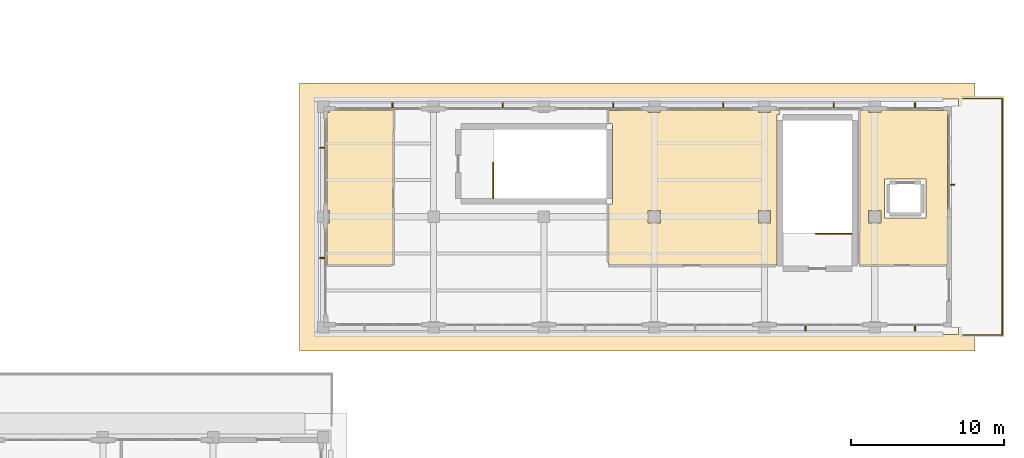
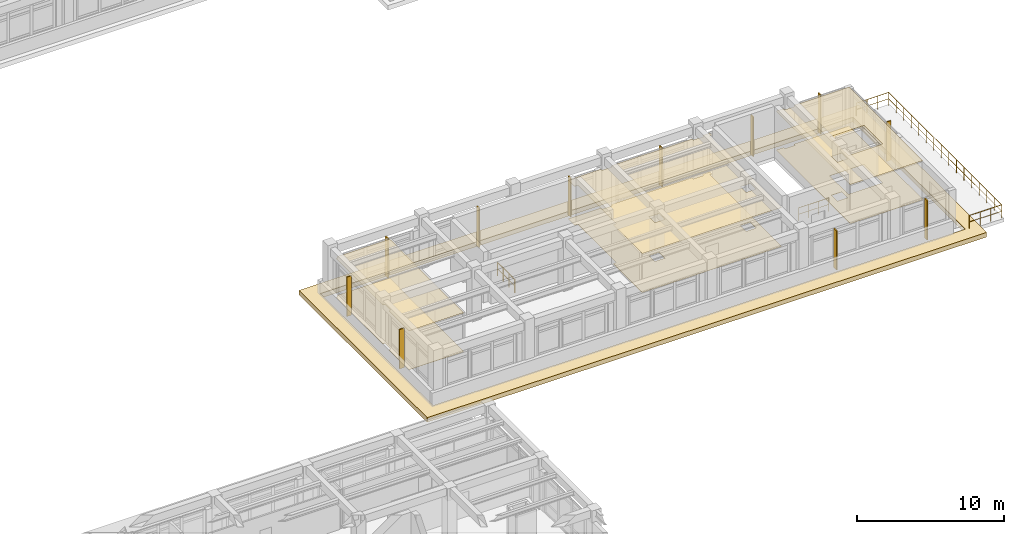
# One storey, part 59 of 64: 11 shading devices, 7 coverings, 5 railings.
"""IFC4 building model written with IfcOpenShell, lengths in metres."""

from ifc_helpers import new_model, si_unit, direction, frame, origin, origin_2d, place, context, subcontext, project, spatial, polyline, rectangle, circle, outline, extrude, material, layer, layer_set, material_profile, profile_set, type_object, element, save


model = new_model("IFC4")

# Units and contexts
model_context = context("Model", 3, precision=1e-05, world=origin(), true_north=direction((0.0, 1.0)))
body_context = subcontext(model_context, "Body", "Model", "MODEL_VIEW")
ifc_project = project(units=[si_unit("LENGTHUNIT", "METRE"), si_unit("AREAUNIT", "SQUARE_METRE"), si_unit("VOLUMEUNIT", "CUBIC_METRE"), si_unit("PLANEANGLEUNIT", "RADIAN"), si_unit("MASSUNIT", "GRAM", prefix="KILO")], contexts=[model_context])

# Site, building, storey
site_placement = place(None, origin())
site = spatial("IfcSite", under=ifc_project, at=site_placement, CompositionType="ELEMENT")
building_placement = place(site_placement, origin())
building = spatial("IfcBuilding", under=site, at=building_placement, Name="Solenvale Faculty of Natural Sciences", CompositionType="ELEMENT")
storey_placement = place(building_placement, frame((0.0, 0.0, 18.0)))
storey = spatial("IfcBuildingStorey", under=building, at=storey_placement, Name="L04", CompositionType="ELEMENT", Elevation=18.0)

# Coverings
ifc_material_1 = material(Name="Acoustic mineral-timber ceiling", Category="wood")
ifc_layer_1 = layer(ifc_material_1, 0.02490234375)
ifc_layer_set_1 = layer_set([ifc_layer_1], Name="Acoustic mineral-timber ceiling")
covering_type_1 = type_object("IfcCoveringType", Name="COV-CEIL-AC25", PredefinedType="CEILING", material=ifc_layer_set_1)
covering_1_placement = place(storey_placement, frame((0.0, 0.0, 3.235107421875)))
element("IfcCovering", 1, at=covering_1_placement, inside=storey, type_object=covering_type_1, Name="L04 Science Library Reference Reading Hall Acoustic Ceiling", PredefinedType="CEILING", context=body_context, shape_type="SweptSolid", body=[
    extrude(outline(polyline([(133.820068359375, 51.18994140625), (133.846923828125, 51.219970703125), (134.056884765625, 51.220947265625), (134.080078125, 51.25), (134.080078125, 56.450927734375), (134.054931640625, 56.47998046875), (133.846923828125, 56.47998046875), (133.821044921875, 56.5009765625), (133.820068359375, 57.330078125), (133.8359375, 57.35595703125), (136.373046875, 57.360107421875), (136.39892578125, 57.3359375), (136.39990234375, 57.208984375), (136.410888671875, 57.199951171875), (137.19189453125, 57.199951171875), (137.200927734375, 57.3359375), (137.22998046875, 57.360107421875), (143.570068359375, 57.360107421875), (143.59912109375, 57.339111328125), (143.60009765625, 57.208984375), (143.611083984375, 57.199951171875), (144.39111328125, 57.199951171875), (144.39990234375, 57.208984375), (144.40087890625, 57.3359375), (144.424072265625, 57.35888671875), (144.949951171875, 57.360107421875), (144.97607421875, 57.343994140625), (144.97607421875, 57.095947265625), (144.952880859375, 57.080078125), (144.842041015625, 57.0791015625), (144.820068359375, 57.050048828125), (144.820068359375, 47.27001953125), (144.803955078125, 47.243896484375), (133.839111328125, 47.241943359375), (133.820068359375, 47.27001953125), (133.820068359375, 51.18994140625)]), holes=[polyline([(143.611083984375, 50.800048828125), (143.60009765625, 50.7890625), (143.60302734375, 50.0029296875), (144.39697265625, 50.0029296875), (144.39697265625, 50.797119140625), (143.611083984375, 50.800048828125)]), polyline([(136.410888671875, 50.800048828125), (136.39990234375, 50.7890625), (136.403076171875, 50.0029296875), (137.197021484375, 50.0029296875), (137.197021484375, 50.797119140625), (136.410888671875, 50.800048828125)])]), origin(), (0.0, 0.0, 1.0), 0.02490234375),
])
covering_2_placement = place(storey_placement, frame((0.0, 0.0, 3.235107421875)))
element("IfcCovering", 2, at=covering_2_placement, inside=storey, type_object=covering_type_1, Name="L04 Faculty Staff Office Acoustic Ceiling", PredefinedType="CEILING", context=body_context, shape_type="SweptSolid", body=[
    extrude(outline(polyline([(150.25, 47.239990234375), (150.22900390625, 47.2490234375), (150.219970703125, 47.27001953125), (150.22412109375, 57.343994140625), (150.25, 57.360107421875), (150.77587890625, 57.35888671875), (150.799072265625, 57.3359375), (150.800048828125, 57.208984375), (150.80908203125, 57.199951171875), (151.589111328125, 57.199951171875), (151.60009765625, 57.208984375), (151.60107421875, 57.339111328125), (151.6298828125, 57.360107421875), (155.944091796875, 57.35595703125), (155.9599609375, 57.330078125), (155.9560546875, 47.256103515625), (155.929931640625, 47.239990234375), (150.25, 47.239990234375)]), holes=[polyline([(154.554931640625, 52.85205078125), (154.544921875, 52.8720703125), (154.52490234375, 52.8798828125), (151.85498046875, 52.8720703125), (151.844970703125, 52.85009765625), (151.85302734375, 50.330078125), (151.875, 50.320068359375), (154.544921875, 50.327880859375), (154.554931640625, 50.35009765625), (154.554931640625, 52.85205078125)]), polyline([(150.81103515625, 50.800048828125), (150.800048828125, 50.7890625), (150.802978515625, 50.0029296875), (151.596923828125, 50.0029296875), (151.596923828125, 50.797119140625), (150.81103515625, 50.800048828125)])]), origin(), (0.0, 0.0, 1.0), 0.02490234375),
])
ifc_material_2 = material(Name="Oak slatted acoustic timber ceiling", Category="wood")
ifc_layer_2 = layer(ifc_material_2, 0.034912109375)
ifc_layer_set_2 = layer_set([ifc_layer_2], Name="Oak slatted acoustic timber ceiling")
covering_type_2 = type_object("IfcCoveringType", Name="COV-CEIL-WD35", PredefinedType="CEILING", material=ifc_layer_set_2)
covering_3_placement = place(storey_placement, frame((0.0, 0.0, 3.22509765625)))
element("IfcCovering", 3, at=covering_3_placement, inside=storey, type_object=covering_type_2, Name="L04 Learning Commons Acoustic Ceiling", PredefinedType="CEILING", context=body_context, shape_type="SweptSolid", body=[
    extrude(outline(polyline([(119.780029296875, 56.049072265625), (119.760009765625, 56.0), (119.756103515625, 47.256103515625), (119.72998046875, 47.239990234375), (115.4560546875, 47.243896484375), (115.43994140625, 47.27001953125), (115.43994140625, 49.969970703125), (115.464111328125, 49.9990234375), (115.60009765625, 50.008056640625), (115.60009765625, 50.7890625), (115.591064453125, 50.800048828125), (115.4609375, 50.801025390625), (115.43994140625, 50.830078125), (115.444091796875, 57.18408203125), (115.467041015625, 57.199951171875), (115.596923828125, 57.202880859375), (115.60107421875, 57.3359375), (115.6298828125, 57.360107421875), (119.759033203125, 57.35888671875), (119.780029296875, 57.330078125), (119.780029296875, 56.049072265625)])), origin(), (0.0, 0.0, 1.0), 0.034912109375),
])
ifc_material_3 = material(Name="Polished slate terrazzo flooring", Category="masonry")
ifc_layer_3 = layer(ifc_material_3, 0.01806640625)
ifc_layer_set_3 = layer_set([ifc_layer_3], Name="Polished slate terrazzo flooring")
covering_type_3 = type_object("IfcCoveringType", Name="COV-FLR-TRZ18", PredefinedType="FLOORING", material=ifc_layer_set_3)
covering_4_placement = place(storey_placement, origin())
element("IfcCovering", 4, at=covering_4_placement, inside=storey, type_object=covering_type_3, Name="L04 Learning Commons Floor Finish", PredefinedType="FLOORING", context=body_context, shape_type="SweptSolid", body=[
    extrude(outline(polyline([(119.780029296875, 56.049072265625), (119.760009765625, 56.0), (119.756103515625, 47.256103515625), (119.72998046875, 47.239990234375), (115.4560546875, 47.243896484375), (115.43994140625, 47.27001953125), (115.43994140625, 49.969970703125), (115.464111328125, 49.9990234375), (115.60009765625, 50.008056640625), (115.60009765625, 50.7890625), (115.591064453125, 50.800048828125), (115.4609375, 50.801025390625), (115.43994140625, 50.830078125), (115.444091796875, 57.18408203125), (115.467041015625, 57.199951171875), (115.596923828125, 57.202880859375), (115.60107421875, 57.3359375), (115.6298828125, 57.360107421875), (119.759033203125, 57.35888671875), (119.780029296875, 57.330078125), (119.780029296875, 56.049072265625)])), origin(), (0.0, 0.0, 1.0), 0.01806640625),
])
covering_5_placement = place(storey_placement, origin())
element("IfcCovering", 5, at=covering_5_placement, inside=storey, type_object=covering_type_3, Name="L04 Science Library Reference Reading Hall Floor Finish", PredefinedType="FLOORING", context=body_context, shape_type="SweptSolid", body=[
    extrude(outline(polyline([(133.820068359375, 51.18994140625), (133.846923828125, 51.219970703125), (134.056884765625, 51.220947265625), (134.080078125, 51.25), (134.080078125, 56.450927734375), (134.054931640625, 56.47998046875), (133.846923828125, 56.47998046875), (133.821044921875, 56.5009765625), (133.820068359375, 57.330078125), (133.8359375, 57.35595703125), (136.373046875, 57.360107421875), (136.39892578125, 57.3359375), (136.39990234375, 57.208984375), (136.410888671875, 57.199951171875), (137.19189453125, 57.199951171875), (137.200927734375, 57.3359375), (137.22998046875, 57.360107421875), (143.570068359375, 57.360107421875), (143.59912109375, 57.339111328125), (143.60009765625, 57.208984375), (143.611083984375, 57.199951171875), (144.39111328125, 57.199951171875), (144.39990234375, 57.208984375), (144.40087890625, 57.3359375), (144.424072265625, 57.35888671875), (144.949951171875, 57.360107421875), (144.97607421875, 57.343994140625), (144.97607421875, 57.095947265625), (144.952880859375, 57.080078125), (144.842041015625, 57.0791015625), (144.820068359375, 57.050048828125), (144.820068359375, 47.27001953125), (144.803955078125, 47.243896484375), (133.839111328125, 47.241943359375), (133.820068359375, 47.27001953125), (133.820068359375, 51.18994140625)]), holes=[polyline([(143.611083984375, 50.800048828125), (143.60009765625, 50.7890625), (143.60302734375, 50.0029296875), (144.39697265625, 50.0029296875), (144.39697265625, 50.797119140625), (143.611083984375, 50.800048828125)]), polyline([(136.410888671875, 50.800048828125), (136.39990234375, 50.7890625), (136.403076171875, 50.0029296875), (137.197021484375, 50.0029296875), (137.197021484375, 50.797119140625), (136.410888671875, 50.800048828125)])]), origin(), (0.0, 0.0, 1.0), 0.01806640625),
])
covering_6_placement = place(storey_placement, origin())
element("IfcCovering", 6, at=covering_6_placement, inside=storey, type_object=covering_type_3, Name="L04 Faculty Staff Office Floor Finish", PredefinedType="FLOORING", context=body_context, shape_type="SweptSolid", body=[
    extrude(outline(polyline([(150.25, 47.239990234375), (150.22900390625, 47.2490234375), (150.219970703125, 47.27001953125), (150.22412109375, 57.343994140625), (150.25, 57.360107421875), (150.77587890625, 57.35888671875), (150.799072265625, 57.3359375), (150.800048828125, 57.208984375), (150.80908203125, 57.199951171875), (151.589111328125, 57.199951171875), (151.60009765625, 57.208984375), (151.60107421875, 57.339111328125), (151.6298828125, 57.360107421875), (155.944091796875, 57.35595703125), (155.9599609375, 57.330078125), (155.9560546875, 47.256103515625), (155.929931640625, 47.239990234375), (150.25, 47.239990234375)]), holes=[polyline([(154.554931640625, 52.85205078125), (154.544921875, 52.8720703125), (154.52490234375, 52.8798828125), (151.85498046875, 52.8720703125), (151.844970703125, 52.85009765625), (151.85302734375, 50.330078125), (151.875, 50.320068359375), (154.544921875, 50.327880859375), (154.554931640625, 50.35009765625), (154.554931640625, 52.85205078125)]), polyline([(150.81103515625, 50.800048828125), (150.800048828125, 50.7890625), (150.802978515625, 50.0029296875), (151.596923828125, 50.0029296875), (151.596923828125, 50.797119140625), (150.81103515625, 50.800048828125)])]), origin(), (0.0, 0.0, 1.0), 0.01806640625),
])
ifc_material_4 = material(Name="Insulated EPDM roofing membrane")
ifc_layer_4 = layer(ifc_material_4, 0.06494140625)
ifc_layer_set_4 = layer_set([ifc_layer_4], Name="Insulated EPDM roofing membrane")
covering_type_4 = type_object("IfcCoveringType", Name="COV-ROOF-MEMB", PredefinedType="ROOFING", material=ifc_layer_set_4)
covering_7_placement = place(storey_placement, frame((0.0, 0.0, -0.340087890625)))
element("IfcCovering", 7, at=covering_7_placement, inside=storey, type_object=covering_type_4, Name="L04 Projecting Horizontal Bronze Concrete Tray Ledge 2", PredefinedType="CLADDING", context=body_context, shape_type="SweptSolid", body=[
    extrude(outline(polyline([(157.75, 41.669921875), (157.743896484375, 41.656005859375), (157.72998046875, 41.64990234375), (113.662109375, 41.652099609375), (113.64990234375, 41.669921875), (113.652099609375, 59.137939453125), (113.669921875, 59.14990234375), (157.738037109375, 59.14794921875), (157.75, 59.1298828125), (157.75, 41.669921875)]), holes=[polyline([(114.719970703125, 42.719970703125), (156.679931640625, 42.719970703125), (156.679931640625, 58.080078125), (114.719970703125, 58.080078125), (114.719970703125, 42.719970703125)])]), origin(), (0.0, 0.0, 1.0), 0.380126953125),
])

# Railings
ifc_material_5 = material(Name="Stainless steel Grade 304", Category="steel")
railing_type_1 = type_object("IfcRailingType", Name="RL-GRD-1100", PredefinedType="GUARDRAIL", material=ifc_material_5)
railing_1_placement = place(storey_placement, frame((149.699951171875, 49.2900390625, 0.0)))
element("IfcRailing", 8, at=railing_1_placement, inside=storey, type_object=railing_type_1, Name="L04 ST-02 top well guard 1", PredefinedType="GUARDRAIL", context=body_context, shape_type="SweptSolid", body=[
    extrude(circle(Radius=0.02392578125, at=origin_2d()), frame((0.0, 0.0, 1.09619140625), z_axis=(-1.0, 0.0, 0.0), x_axis=(0.0, -1.0, 0.0)), (0.0, 0.0, 1.0), 2.349853515625),
    extrude(circle(Radius=0.01611328125, at=origin_2d()), frame((0.0, 0.0, 0.56005859375), z_axis=(-1.0, 0.0, 0.0), x_axis=(0.0, -1.0, 0.0)), (0.0, 0.0, 1.0), 2.349853515625),
    extrude(circle(Radius=0.02099609375, at=origin_2d()), origin(), (0.0, 0.0, 1.0), 1.072021484375),
    extrude(circle(Radius=0.02099609375, at=origin_2d()), frame((-0.783203125, 0.0, 0.0)), (0.0, 0.0, 1.0), 1.072021484375),
    extrude(circle(Radius=0.02099609375, at=origin_2d()), frame((-1.566650390625, 0.0, 0.0)), (0.0, 0.0, 1.0), 1.072021484375),
    extrude(circle(Radius=0.02099609375, at=origin_2d()), frame((-2.349853515625, 0.0, 0.0)), (0.0, 0.0, 1.0), 1.072021484375),
])
railing_2_placement = place(storey_placement, frame((126.2900390625, 51.60009765625, 0.0)))
element("IfcRailing", 9, at=railing_2_placement, inside=storey, type_object=railing_type_1, Name="L04 ST-08 top well guard 1", PredefinedType="GUARDRAIL", context=body_context, shape_type="SweptSolid", body=[
    extrude(circle(Radius=0.02392578125, at=origin_2d()), frame((0.0, 0.0, 1.09619140625), z_axis=(0.0, 1.0, 0.0), x_axis=(-1.0, 0.0, 0.0)), (0.0, 0.0, 1.0), 2.349853515625),
    extrude(circle(Radius=0.01611328125, at=origin_2d()), frame((0.0, 0.0, 0.56005859375), z_axis=(0.0, 1.0, 0.0), x_axis=(-1.0, 0.0, 0.0)), (0.0, 0.0, 1.0), 2.349853515625),
    extrude(circle(Radius=0.02099609375, at=origin_2d()), origin(), (0.0, 0.0, 1.0), 1.072021484375),
    extrude(circle(Radius=0.02099609375, at=origin_2d()), frame((0.0, 0.783203125, 0.0)), (0.0, 0.0, 1.0), 1.072021484375),
    extrude(circle(Radius=0.02099609375, at=origin_2d()), frame((0.0, 1.566650390625, 0.0)), (0.0, 0.0, 1.0), 1.072021484375),
    extrude(circle(Radius=0.02099609375, at=origin_2d()), frame((0.0, 2.349853515625, 0.0)), (0.0, 0.0, 1.0), 1.072021484375),
])
railing_type_2 = type_object("IfcRailingType", Name="RL-TERR-1100", PredefinedType="GUARDRAIL", material=ifc_material_5)
railing_3_placement = place(storey_placement, frame((159.52001953125, 42.679931640625, 0.0)))
element("IfcRailing", 10, at=railing_3_placement, inside=storey, type_object=railing_type_2, Name="L04 Terrace Guardrail 2.1", PredefinedType="GUARDRAIL", context=body_context, shape_type="SweptSolid", body=[
    extrude(circle(Radius=0.02392578125, at=origin_2d()), frame((0.0, 0.0, 1.09619140625), z_axis=(-1.0, 0.0, 0.0), x_axis=(0.0, -1.0, 0.0)), (0.0, 0.0, 1.0), 2.56005859375),
    extrude(circle(Radius=0.01611328125, at=origin_2d()), frame((0.0, 0.0, 0.56005859375), z_axis=(-1.0, 0.0, 0.0), x_axis=(0.0, -1.0, 0.0)), (0.0, 0.0, 1.0), 2.56005859375),
    extrude(circle(Radius=0.02099609375, at=origin_2d()), origin(), (0.0, 0.0, 1.0), 1.072021484375),
    extrude(circle(Radius=0.02099609375, at=origin_2d()), frame((-0.853271484375, 0.0, 0.0)), (0.0, 0.0, 1.0), 1.072021484375),
    extrude(circle(Radius=0.02099609375, at=origin_2d()), frame((-1.706787109375, 0.0, 0.0)), (0.0, 0.0, 1.0), 1.072021484375),
    extrude(circle(Radius=0.02099609375, at=origin_2d()), frame((-2.56005859375, 0.0, 0.0)), (0.0, 0.0, 1.0), 1.072021484375),
])
railing_4_placement = place(storey_placement, frame((156.9599609375, 58.1201171875, 0.0)))
element("IfcRailing", 11, at=railing_4_placement, inside=storey, type_object=railing_type_2, Name="L04 Terrace Guardrail 2.3", PredefinedType="GUARDRAIL", context=body_context, shape_type="SweptSolid", body=[
    extrude(circle(Radius=0.02392578125, at=origin_2d()), frame((0.0, 0.0, 1.09619140625), z_axis=(1.0, 0.0, 0.0), x_axis=(0.0, 1.0, 0.0)), (0.0, 0.0, 1.0), 2.56005859375),
    extrude(circle(Radius=0.01611328125, at=origin_2d()), frame((0.0, 0.0, 0.56005859375), z_axis=(1.0, 0.0, 0.0), x_axis=(0.0, 1.0, 0.0)), (0.0, 0.0, 1.0), 2.56005859375),
    extrude(circle(Radius=0.02099609375, at=origin_2d()), origin(), (0.0, 0.0, 1.0), 1.072021484375),
    extrude(circle(Radius=0.02099609375, at=origin_2d()), frame((0.853271484375, 0.0, 0.0)), (0.0, 0.0, 1.0), 1.072021484375),
    extrude(circle(Radius=0.02099609375, at=origin_2d()), frame((1.706787109375, 0.0, 0.0)), (0.0, 0.0, 1.0), 1.072021484375),
    extrude(circle(Radius=0.02099609375, at=origin_2d()), frame((2.56005859375, 0.0, 0.0)), (0.0, 0.0, 1.0), 1.072021484375),
])
railing_5_placement = place(storey_placement, frame((159.52001953125, 58.1201171875, 0.0)))
element("IfcRailing", 12, at=railing_5_placement, inside=storey, type_object=railing_type_2, Name="L04 Terrace Guardrail 2.4", PredefinedType="GUARDRAIL", context=body_context, shape_type="SweptSolid", body=[
    extrude(circle(Radius=0.02392578125, at=origin_2d()), frame((0.0, 0.0, 1.09619140625), z_axis=(0.0, -1.0, 0.0), x_axis=(1.0, 0.0, 0.0)), (0.0, 0.0, 1.0), 15.440185546875),
    extrude(circle(Radius=0.01611328125, at=origin_2d()), frame((0.0, 0.0, 0.56005859375), z_axis=(0.0, -1.0, 0.0), x_axis=(1.0, 0.0, 0.0)), (0.0, 0.0, 1.0), 15.440185546875),
    extrude(circle(Radius=0.02099609375, at=origin_2d()), origin(), (0.0, 0.0, 1.0), 1.072021484375),
    extrude(circle(Radius=0.02099609375, at=origin_2d()), frame((0.0, -1.029296875, 0.0)), (0.0, 0.0, 1.0), 1.072021484375),
    extrude(circle(Radius=0.02099609375, at=origin_2d()), frame((0.0, -2.05859375, 0.0)), (0.0, 0.0, 1.0), 1.072021484375),
    extrude(circle(Radius=0.02099609375, at=origin_2d()), frame((0.0, -3.088134765625, 0.0)), (0.0, 0.0, 1.0), 1.072021484375),
    extrude(circle(Radius=0.02099609375, at=origin_2d()), frame((0.0, -4.117431640625, 0.0)), (0.0, 0.0, 1.0), 1.072021484375),
    extrude(circle(Radius=0.02099609375, at=origin_2d()), frame((0.0, -5.146728515625, 0.0)), (0.0, 0.0, 1.0), 1.072021484375),
    extrude(circle(Radius=0.02099609375, at=origin_2d()), frame((0.0, -6.176025390625, 0.0)), (0.0, 0.0, 1.0), 1.072021484375),
    extrude(circle(Radius=0.02099609375, at=origin_2d()), frame((0.0, -7.205322265625, 0.0)), (0.0, 0.0, 1.0), 1.072021484375),
    extrude(circle(Radius=0.02099609375, at=origin_2d()), frame((0.0, -8.23486328125, 0.0)), (0.0, 0.0, 1.0), 1.072021484375),
    extrude(circle(Radius=0.02099609375, at=origin_2d()), frame((0.0, -9.26416015625, 0.0)), (0.0, 0.0, 1.0), 1.072021484375),
    extrude(circle(Radius=0.02099609375, at=origin_2d()), frame((0.0, -10.29345703125, 0.0)), (0.0, 0.0, 1.0), 1.072021484375),
    extrude(circle(Radius=0.02099609375, at=origin_2d()), frame((0.0, -11.32275390625, 0.0)), (0.0, 0.0, 1.0), 1.072021484375),
    extrude(circle(Radius=0.02099609375, at=origin_2d()), frame((0.0, -12.35205078125, 0.0)), (0.0, 0.0, 1.0), 1.072021484375),
    extrude(circle(Radius=0.02099609375, at=origin_2d()), frame((0.0, -13.381591796875, 0.0)), (0.0, 0.0, 1.0), 1.072021484375),
    extrude(circle(Radius=0.02099609375, at=origin_2d()), frame((0.0, -14.410888671875, 0.0)), (0.0, 0.0, 1.0), 1.072021484375),
    extrude(circle(Radius=0.02099609375, at=origin_2d()), frame((0.0, -15.440185546875, 0.0)), (0.0, 0.0, 1.0), 1.072021484375),
])

# Shading devices
ifc_material_6 = material(Name="Anodised bronze aluminium", Category="aluminium")
ifc_material_profile = material_profile(ifc_material_6, rectangle(XDim=0.080078125, YDim=0.360107421875, at=origin_2d()), Name="ALU-FIN-80x360")
ifc_profile_set = profile_set([ifc_material_profile], Name="Anodised bronze aluminium")
shading_device_type = type_object("IfcShadingDeviceType", Name="SHD-FIN-360", PredefinedType="JALOUSIE", material=ifc_profile_set)
for number, where, z_axis, x_axis, name in (
    (13, (146.683349609375, 43.139892578125, -0.02001953125), (0.0, 0.0, 1.0), (1.0, 0.0, 0.0), "L04 Vertical Brise-Soleil Fin 1.5"),
    (14, (153.8349609375, 43.139892578125, -0.02001953125), (0.0, 0.0, 1.0), (1.0, 0.0, 0.0), "L04 Vertical Brise-Soleil Fin 1.6"),
    (15, (156.260009765625, 52.489990234375, -0.02001953125), (0.0, 0.0, 1.0), (0.0, 1.0, 0.0), "L04 Vertical Brise-Soleil Fin 2.2"),
    (16, (153.8349609375, 57.659912109375, -0.02001953125), (0.0, 0.0, 1.0), (1.0, 0.0, 0.0), "L04 Vertical Brise-Soleil Fin 3.1"),
    (17, (148.5166015625, 57.659912109375, -0.02001953125), (0.0, 0.0, 1.0), (1.0, 0.0, 0.0), "L04 Vertical Brise-Soleil Fin 3.2"),
    (18, (141.316650390625, 57.659912109375, -0.02001953125), (0.0, 0.0, 1.0), (1.0, 0.0, 0.0), "L04 Vertical Brise-Soleil Fin 3.3"),
    (19, (134.11669921875, 57.659912109375, -0.02001953125), (0.0, 0.0, 1.0), (1.0, 0.0, 0.0), "L04 Vertical Brise-Soleil Fin 3.4"),
    (20, (126.916748046875, 57.659912109375, -0.02001953125), (0.0, 0.0, 1.0), (1.0, 0.0, 0.0), "L04 Vertical Brise-Soleil Fin 3.5"),
    (21, (119.716552734375, 57.659912109375, -0.02001953125), (0.0, 0.0, 1.0), (1.0, 0.0, 0.0), "L04 Vertical Brise-Soleil Fin 3.6"),
    (22, (115.139892578125, 54.916748046875, -0.02001953125), (0.0, 0.0, 1.0), (0.0, 1.0, 0.0), "L04 Vertical Brise-Soleil Fin 4.1"),
    (23, (115.139892578125, 47.716552734375, -0.02001953125), (0.0, 0.0, 1.0), (0.0, 1.0, 0.0), "L04 Vertical Brise-Soleil Fin 4.2"),
):
    element("IfcShadingDevice", number, at=place(storey_placement, frame(where, z_axis=z_axis, x_axis=x_axis)), inside=storey, type_object=shading_device_type, Name=name, PredefinedType="JALOUSIE", context=body_context, shape_type="SweptSolid", body=[
        extrude(rectangle(XDim=0.080078125, YDim=0.360107421875, at=origin_2d()), origin(), (0.0, 0.0, 1.0), 3.280029296875),
    ])

save(model, "model.ifc")
